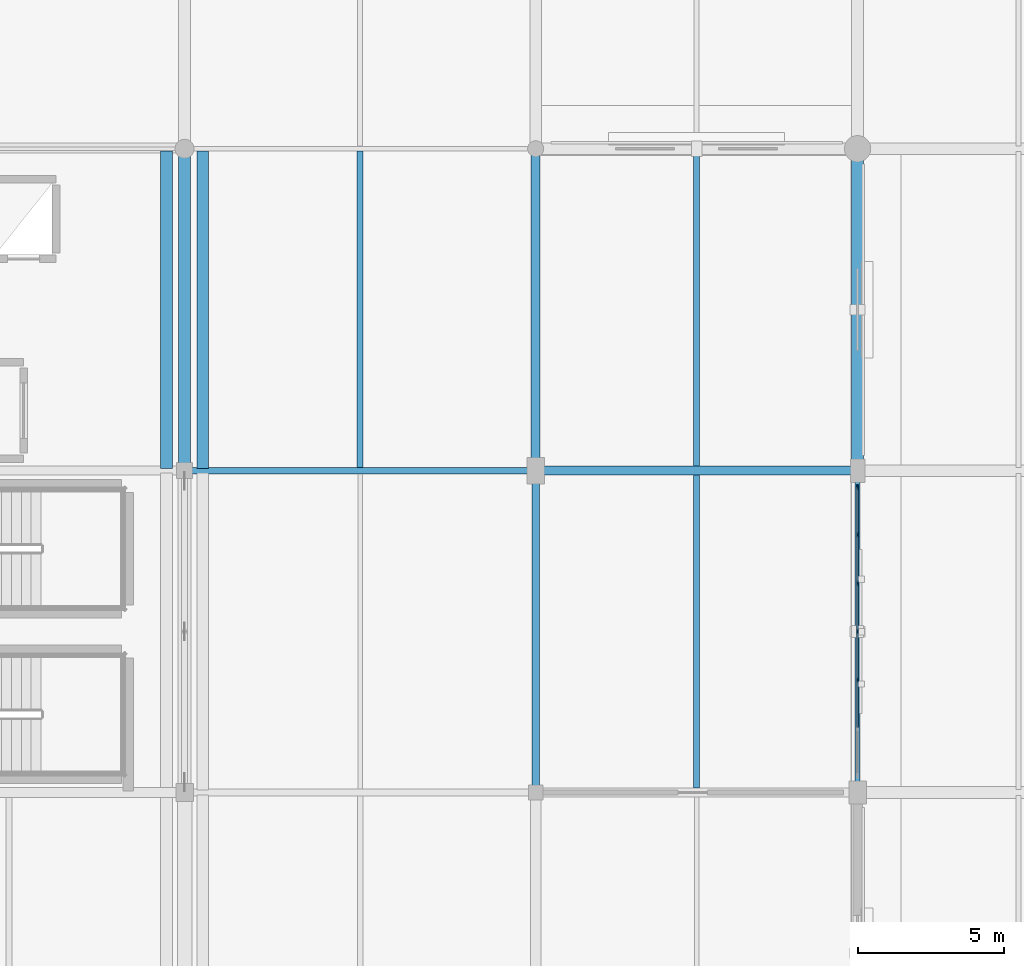
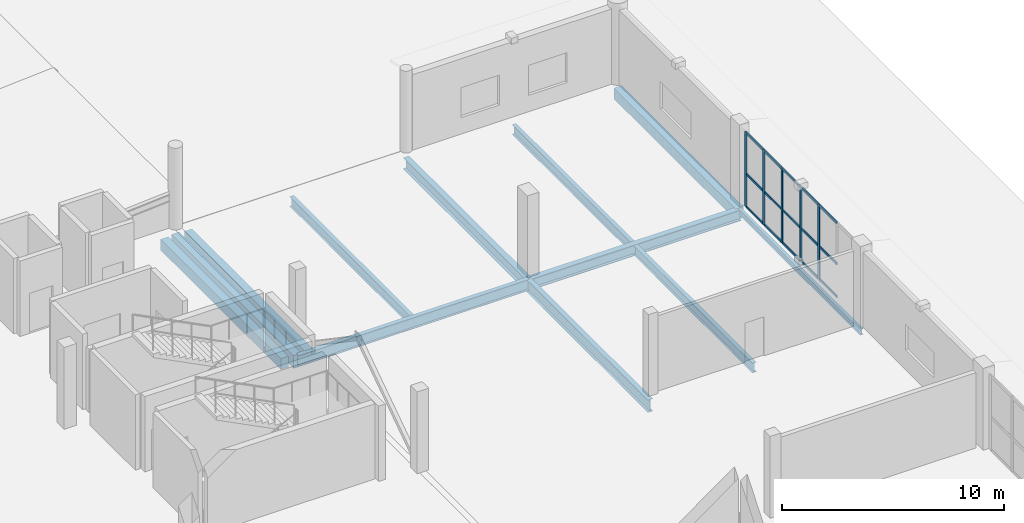
# One storey, part 62 of 118: 20 members, 12 beams, 1 element without a shape of its own.
"""IFC4 building model written with IfcOpenShell, lengths in metres."""

from ifc_helpers import new_model, si_unit, direction, frame, origin, origin_2d, place, context, subcontext, project, spatial, rectangle, i_section, extrude, material, material_profile, profile_set, type_object, element, aggregate, save


model = new_model("IFC4")

# Units and contexts
model_context = context("Model", 3, precision=1e-05, world=origin(), true_north=direction((0.0, 1.0)))
body_context = subcontext(model_context, "Body", "Model", "MODEL_VIEW")
ifc_project = project(units=[si_unit("LENGTHUNIT", "METRE"), si_unit("AREAUNIT", "SQUARE_METRE"), si_unit("VOLUMEUNIT", "CUBIC_METRE"), si_unit("PLANEANGLEUNIT", "RADIAN"), si_unit("MASSUNIT", "GRAM", prefix="KILO")], contexts=[model_context])

# Site, building, storey
site_placement = place(None, origin())
site = spatial("IfcSite", under=ifc_project, at=site_placement, CompositionType="ELEMENT")
building_placement = place(site_placement, origin())
building = spatial("IfcBuilding", under=site, at=building_placement, Name="Luwafu Chhajja Arena", CompositionType="ELEMENT")
storey_placement = place(building_placement, frame((0.0, 0.0, 10.199951171875)))
storey = spatial("IfcBuildingStorey", under=building, at=storey_placement, Name="L02", CompositionType="ELEMENT", Elevation=10.199951171875)

# Curtain wall, members
ifc_material_1 = material(Name="Anodised bronze aluminium", Category="aluminium")
curtain_wall_type = type_object("IfcCurtainWallType", Name="Charbagh Cloister Curtain Wall", PredefinedType="USERDEFINED", material=ifc_material_1)
curtain_wall_placement = place(storey_placement, origin())
curtain_wall = element("IfcCurtainWall", 1, at=curtain_wall_placement, inside=storey, type_object=curtain_wall_type, Name="L02 Curtain Wall CWG-L02-V16_07", ObjectType="CURTAIN WALL", PredefinedType="USERDEFINED")
ifc_material_profile_1 = material_profile(ifc_material_1, rectangle(XDim=0.06005859375, YDim=0.159912109375, at=origin_2d()), Name="CWM 60x160")
ifc_profile_set_1 = profile_set([ifc_material_profile_1], Name="Anodised bronze aluminium")
member_type_1 = type_object("IfcMemberType", Name="Bronze Curtain Wall Mullion 60x160", PredefinedType="MULLION", material=ifc_profile_set_1)
member_1_placement = place(storey_placement, frame((187.0, 80.8466796875, 0.030029296875), z_axis=(0.0, 0.0, 1.0), x_axis=(-1.0, 0.0, 0.0)))
member_1 = element("IfcMember", 2, at=member_1_placement, type_object=member_type_1, Name="CW-06 mullion 3", PredefinedType="MULLION", context=body_context, shape_type="SweptSolid", body=[
    extrude(rectangle(XDim=0.06005859375, YDim=0.159912109375, at=origin_2d()), origin(), (0.0, 0.0, 1.0), 4.114990234375),
])
member_2_placement = place(storey_placement, frame((187.0, 82.5, 0.030029296875), z_axis=(0.0, 0.0, 1.0), x_axis=(-1.0, 0.0, 0.0)))
member_2 = element("IfcMember", 3, at=member_2_placement, type_object=member_type_1, Name="CW-06 mullion 4", PredefinedType="MULLION", context=body_context, shape_type="SweptSolid", body=[
    extrude(rectangle(XDim=0.06005859375, YDim=0.159912109375, at=origin_2d()), origin(), (0.0, 0.0, 1.0), 4.114990234375),
])
member_3_placement = place(storey_placement, frame((187.0, 84.1533203125, 0.030029296875), z_axis=(0.0, 0.0, 1.0), x_axis=(-1.0, 0.0, 0.0)))
member_3 = element("IfcMember", 4, at=member_3_placement, type_object=member_type_1, Name="CW-06 mullion 5", PredefinedType="MULLION", context=body_context, shape_type="SweptSolid", body=[
    extrude(rectangle(XDim=0.06005859375, YDim=0.159912109375, at=origin_2d()), origin(), (0.0, 0.0, 1.0), 4.114990234375),
])
member_4_placement = place(storey_placement, frame((187.0, 85.806640625, 0.030029296875), z_axis=(0.0, 0.0, 1.0), x_axis=(-1.0, 0.0, 0.0)))
member_4 = element("IfcMember", 5, at=member_4_placement, type_object=member_type_1, Name="CW-06 mullion 6", PredefinedType="MULLION", context=body_context, shape_type="SweptSolid", body=[
    extrude(rectangle(XDim=0.06005859375, YDim=0.159912109375, at=origin_2d()), origin(), (0.0, 0.0, 1.0), 4.114990234375),
])
member_5_placement = place(storey_placement, frame((187.0, 87.429931640625, 0.030029296875), z_axis=(0.0, 0.0, 1.0), x_axis=(-1.0, 0.0, 0.0)))
member_5 = element("IfcMember", 6, at=member_5_placement, type_object=member_type_1, Name="CW-06 mullion 7", PredefinedType="MULLION", context=body_context, shape_type="SweptSolid", body=[
    extrude(rectangle(XDim=0.06005859375, YDim=0.159912109375, at=origin_2d()), origin(), (0.0, 0.0, 1.0), 4.114990234375),
])
ifc_material_profile_2 = material_profile(ifc_material_1, rectangle(XDim=0.06005859375, YDim=0.1298828125, at=origin_2d()), Name="CWT 60x130")
ifc_profile_set_2 = profile_set([ifc_material_profile_2], Name="Anodised bronze aluminium")
member_type_2 = type_object("IfcMemberType", Name="Bronze Curtain Wall Transom 60x130", PredefinedType="USERDEFINED", material=ifc_profile_set_2)
member_6_placement = place(storey_placement, frame((187.0, 79.223388671875, 0.06005859375), z_axis=(0.0, 1.0, 0.0), x_axis=(-1.0, 0.0, 0.0)))
member_6 = element("IfcMember", 7, at=member_6_placement, type_object=member_type_2, Name="CW-06 transom 2.1", ObjectType="TRANSOM", PredefinedType="USERDEFINED", context=body_context, shape_type="SweptSolid", body=[
    extrude(rectangle(XDim=0.06005859375, YDim=0.1298828125, at=origin_2d()), origin(), (0.0, 0.0, 1.0), 1.59326171875),
])
member_7_placement = place(storey_placement, frame((187.0, 79.223388671875, 1.865234375), z_axis=(0.0, 1.0, 0.0), x_axis=(-1.0, 0.0, 0.0)))
member_7 = element("IfcMember", 8, at=member_7_placement, type_object=member_type_2, Name="CW-06 transom 2.2", ObjectType="TRANSOM", PredefinedType="USERDEFINED", context=body_context, shape_type="SweptSolid", body=[
    extrude(rectangle(XDim=0.06005859375, YDim=0.1298828125, at=origin_2d()), origin(), (0.0, 0.0, 1.0), 1.59326171875),
])
member_8_placement = place(storey_placement, frame((187.0, 79.223388671875, 4.114990234375), z_axis=(0.0, 1.0, 0.0), x_axis=(-1.0, 0.0, 0.0)))
member_8 = element("IfcMember", 9, at=member_8_placement, type_object=member_type_2, Name="CW-06 transom 2.3", ObjectType="TRANSOM", PredefinedType="USERDEFINED", context=body_context, shape_type="SweptSolid", body=[
    extrude(rectangle(XDim=0.06005859375, YDim=0.1298828125, at=origin_2d()), origin(), (0.0, 0.0, 1.0), 1.59326171875),
])
member_9_placement = place(storey_placement, frame((187.0, 80.876708984375, 0.06005859375), z_axis=(0.0, 1.0, 0.0), x_axis=(-1.0, 0.0, 0.0)))
member_9 = element("IfcMember", 10, at=member_9_placement, type_object=member_type_2, Name="CW-06 transom 3.1", ObjectType="TRANSOM", PredefinedType="USERDEFINED", context=body_context, shape_type="SweptSolid", body=[
    extrude(rectangle(XDim=0.06005859375, YDim=0.1298828125, at=origin_2d()), origin(), (0.0, 0.0, 1.0), 1.59326171875),
])
member_10_placement = place(storey_placement, frame((187.0, 80.876708984375, 1.865234375), z_axis=(0.0, 1.0, 0.0), x_axis=(-1.0, 0.0, 0.0)))
member_10 = element("IfcMember", 11, at=member_10_placement, type_object=member_type_2, Name="CW-06 transom 3.2", ObjectType="TRANSOM", PredefinedType="USERDEFINED", context=body_context, shape_type="SweptSolid", body=[
    extrude(rectangle(XDim=0.06005859375, YDim=0.1298828125, at=origin_2d()), origin(), (0.0, 0.0, 1.0), 1.59326171875),
])
member_11_placement = place(storey_placement, frame((187.0, 80.876708984375, 4.114990234375), z_axis=(0.0, 1.0, 0.0), x_axis=(-1.0, 0.0, 0.0)))
member_11 = element("IfcMember", 12, at=member_11_placement, type_object=member_type_2, Name="CW-06 transom 3.3", ObjectType="TRANSOM", PredefinedType="USERDEFINED", context=body_context, shape_type="SweptSolid", body=[
    extrude(rectangle(XDim=0.06005859375, YDim=0.1298828125, at=origin_2d()), origin(), (0.0, 0.0, 1.0), 1.59326171875),
])
member_12_placement = place(storey_placement, frame((187.0, 82.530029296875, 0.06005859375), z_axis=(0.0, 1.0, 0.0), x_axis=(-1.0, 0.0, 0.0)))
member_12 = element("IfcMember", 13, at=member_12_placement, type_object=member_type_2, Name="CW-06 transom 4.1", ObjectType="TRANSOM", PredefinedType="USERDEFINED", context=body_context, shape_type="SweptSolid", body=[
    extrude(rectangle(XDim=0.06005859375, YDim=0.1298828125, at=origin_2d()), origin(), (0.0, 0.0, 1.0), 1.59326171875),
])
member_13_placement = place(storey_placement, frame((187.0, 82.530029296875, 1.865234375), z_axis=(0.0, 1.0, 0.0), x_axis=(-1.0, 0.0, 0.0)))
member_13 = element("IfcMember", 14, at=member_13_placement, type_object=member_type_2, Name="CW-06 transom 4.2", ObjectType="TRANSOM", PredefinedType="USERDEFINED", context=body_context, shape_type="SweptSolid", body=[
    extrude(rectangle(XDim=0.06005859375, YDim=0.1298828125, at=origin_2d()), origin(), (0.0, 0.0, 1.0), 1.59326171875),
])
member_14_placement = place(storey_placement, frame((187.0, 82.530029296875, 4.114990234375), z_axis=(0.0, 1.0, 0.0), x_axis=(-1.0, 0.0, 0.0)))
member_14 = element("IfcMember", 15, at=member_14_placement, type_object=member_type_2, Name="CW-06 transom 4.3", ObjectType="TRANSOM", PredefinedType="USERDEFINED", context=body_context, shape_type="SweptSolid", body=[
    extrude(rectangle(XDim=0.06005859375, YDim=0.1298828125, at=origin_2d()), origin(), (0.0, 0.0, 1.0), 1.59326171875),
])
member_15_placement = place(storey_placement, frame((187.0, 84.183349609375, 0.06005859375), z_axis=(0.0, 1.0, 0.0), x_axis=(-1.0, 0.0, 0.0)))
member_15 = element("IfcMember", 16, at=member_15_placement, type_object=member_type_2, Name="CW-06 transom 5.1", ObjectType="TRANSOM", PredefinedType="USERDEFINED", context=body_context, shape_type="SweptSolid", body=[
    extrude(rectangle(XDim=0.06005859375, YDim=0.1298828125, at=origin_2d()), origin(), (0.0, 0.0, 1.0), 1.59326171875),
])
member_16_placement = place(storey_placement, frame((187.0, 84.183349609375, 1.865234375), z_axis=(0.0, 1.0, 0.0), x_axis=(-1.0, 0.0, 0.0)))
member_16 = element("IfcMember", 17, at=member_16_placement, type_object=member_type_2, Name="CW-06 transom 5.2", ObjectType="TRANSOM", PredefinedType="USERDEFINED", context=body_context, shape_type="SweptSolid", body=[
    extrude(rectangle(XDim=0.06005859375, YDim=0.1298828125, at=origin_2d()), origin(), (0.0, 0.0, 1.0), 1.59326171875),
])
member_17_placement = place(storey_placement, frame((187.0, 84.183349609375, 4.114990234375), z_axis=(0.0, 1.0, 0.0), x_axis=(-1.0, 0.0, 0.0)))
member_17 = element("IfcMember", 18, at=member_17_placement, type_object=member_type_2, Name="CW-06 transom 5.3", ObjectType="TRANSOM", PredefinedType="USERDEFINED", context=body_context, shape_type="SweptSolid", body=[
    extrude(rectangle(XDim=0.06005859375, YDim=0.1298828125, at=origin_2d()), origin(), (0.0, 0.0, 1.0), 1.59326171875),
])
member_18_placement = place(storey_placement, frame((187.0, 85.836669921875, 0.06005859375), z_axis=(0.0, 1.0, 0.0), x_axis=(-1.0, 0.0, 0.0)))
member_18 = element("IfcMember", 19, at=member_18_placement, type_object=member_type_2, Name="CW-06 transom 6.1", ObjectType="TRANSOM", PredefinedType="USERDEFINED", context=body_context, shape_type="SweptSolid", body=[
    extrude(rectangle(XDim=0.06005859375, YDim=0.1298828125, at=origin_2d()), origin(), (0.0, 0.0, 1.0), 1.563232421875),
])
member_19_placement = place(storey_placement, frame((187.0, 85.836669921875, 1.865234375), z_axis=(0.0, 1.0, 0.0), x_axis=(-1.0, 0.0, 0.0)))
member_19 = element("IfcMember", 20, at=member_19_placement, type_object=member_type_2, Name="CW-06 transom 6.2", ObjectType="TRANSOM", PredefinedType="USERDEFINED", context=body_context, shape_type="SweptSolid", body=[
    extrude(rectangle(XDim=0.06005859375, YDim=0.1298828125, at=origin_2d()), origin(), (0.0, 0.0, 1.0), 1.563232421875),
])
member_20_placement = place(storey_placement, frame((187.0, 85.836669921875, 4.114990234375), z_axis=(0.0, 1.0, 0.0), x_axis=(-1.0, 0.0, 0.0)))
member_20 = element("IfcMember", 21, at=member_20_placement, type_object=member_type_2, Name="CW-06 transom 6.3", ObjectType="TRANSOM", PredefinedType="USERDEFINED", context=body_context, shape_type="SweptSolid", body=[
    extrude(rectangle(XDim=0.06005859375, YDim=0.1298828125, at=origin_2d()), origin(), (0.0, 0.0, 1.0), 1.563232421875),
])
aggregate(curtain_wall, [member_1, member_2, member_3, member_4, member_5, member_6, member_7, member_8, member_9, member_10, member_11, member_12, member_13, member_14, member_15, member_16, member_17, member_18, member_19, member_20])

# Beams
ifc_material_2 = material(Name="Steel S355", Category="steel")
ifc_material_profile_3 = material_profile(ifc_material_2, i_section(OverallWidth=0.165771484375, OverallDepth=0.306640625, WebThickness=0.006591796875, FlangeThickness=0.01171875, at=origin_2d()), Name="UB 305x165x46")
ifc_profile_set_3 = profile_set([ifc_material_profile_3], Name="Steel S355")
beam_type_1 = type_object("IfcBeamType", Name="Concourse Edge Spandrel Beam UB 305x165x46", PredefinedType="SPANDREL", material=ifc_profile_set_3)
beam_1_placement = place(storey_placement, frame((187.0, 77.0, -0.543212890625), z_axis=(0.0, 1.0, 0.0), x_axis=(-1.0, 0.0, 0.0)))
element("IfcBeam", 22, at=beam_1_placement, inside=storey, type_object=beam_type_1, Name="L02 Grid Beam 17/H-J", PredefinedType="SPANDREL", context=body_context, shape_type="SweptSolid", body=[
    extrude(i_section(OverallWidth=0.165771484375, OverallDepth=0.306640625, WebThickness=0.006591796875, FlangeThickness=0.01171875, at=origin_2d()), origin(), (0.0, 0.0, 1.0), 11.0),
])
ifc_material_profile_4 = material_profile(ifc_material_2, i_section(OverallWidth=0.2099609375, OverallDepth=0.53662109375, WebThickness=0.0107421875, FlangeThickness=0.017333984375, at=origin_2d()), Name="UB 533x210x101")
ifc_profile_set_4 = profile_set([ifc_material_profile_4], Name="Steel S355")
beam_type_2 = type_object("IfcBeamType", Name="Floor Joist UB 533x210x101", PredefinedType="JOIST", material=ifc_profile_set_4)
beam_2_placement = place(storey_placement, frame((170.0, 88.114501953125, -0.658203125), z_axis=(0.0, 1.0, 0.0), x_axis=(-1.0, 0.0, 0.0)))
element("IfcBeam", 23, at=beam_2_placement, inside=storey, type_object=beam_type_2, Name="L02 Secondary Joist 15-16/J", PredefinedType="JOIST", context=body_context, shape_type="SweptSolid", body=[
    extrude(i_section(OverallWidth=0.2099609375, OverallDepth=0.53662109375, WebThickness=0.0107421875, FlangeThickness=0.017333984375, at=origin_2d()), origin(), (0.0, 0.0, 1.0), 10.802734375),
])
beam_3_placement = place(storey_placement, frame((181.5, 77.153564453125, -0.658203125), z_axis=(0.0, 1.0, 0.0), x_axis=(-1.0, 0.0, 0.0)))
element("IfcBeam", 24, at=beam_3_placement, inside=storey, type_object=beam_type_2, Name="L02 Secondary Joist 16-17/H", PredefinedType="JOIST", context=body_context, shape_type="SweptSolid", body=[
    extrude(i_section(OverallWidth=0.2099609375, OverallDepth=0.53662109375, WebThickness=0.0107421875, FlangeThickness=0.017333984375, at=origin_2d()), origin(), (0.0, 0.0, 1.0), 10.696533203125),
])
ifc_material_profile_5 = material_profile(ifc_material_2, i_section(OverallWidth=0.209228515625, OverallDepth=0.533203125, WebThickness=0.010009765625, FlangeThickness=0.015625, at=origin_2d()), Name="UB 533x210x92")
ifc_profile_set_5 = profile_set([ifc_material_profile_5], Name="Steel S355")
beam_type_3 = type_object("IfcBeamType", Name="Floor Joist UB 533x210x92", PredefinedType="JOIST", material=ifc_profile_set_5)
beam_4_placement = place(storey_placement, frame((181.5, 88.14990234375, -0.656494140625), z_axis=(0.0, 1.0, 0.0), x_axis=(-1.0, 0.0, 0.0)))
element("IfcBeam", 25, at=beam_4_placement, inside=storey, type_object=beam_type_3, Name="L02 Secondary Joist 16-17/J", PredefinedType="JOIST", context=body_context, shape_type="SweptSolid", body=[
    extrude(i_section(OverallWidth=0.209228515625, OverallDepth=0.533203125, WebThickness=0.010009765625, FlangeThickness=0.015625, at=origin_2d()), origin(), (0.0, 0.0, 1.0), 10.650146484375),
])
ifc_material_3 = material(Name="Concrete C35/45", Category="concrete")
ifc_material_profile_6 = material_profile(ifc_material_3, rectangle(XDim=0.39990234375, YDim=0.60009765625, at=origin_2d()), Name="RC 400x600")
ifc_profile_set_6 = profile_set([ifc_material_profile_6], Name="Concrete C35/45")
beam_type_4 = type_object("IfcBeamType", Name="Podium Perimeter Spandrel RC 400x600", PredefinedType="SPANDREL", material=ifc_profile_set_6)
beam_5_placement = place(storey_placement, frame((187.0, 88.0, -0.68994140625), z_axis=(0.0, 1.0, 0.0), x_axis=(-1.0, 0.0, 0.0)))
element("IfcBeam", 26, at=beam_5_placement, inside=storey, type_object=beam_type_4, Name="L02 Grid Beam 17/J-K", PredefinedType="SPANDREL", context=body_context, shape_type="SweptSolid", body=[
    extrude(rectangle(XDim=0.39990234375, YDim=0.60009765625, at=origin_2d()), origin(), (0.0, 0.0, 1.0), 11.0),
])
for number, where, z_axis, x_axis, name in (
    (27, (163.3798828125, 88.080078125, -0.68994140625), (0.0, 1.0, 0.0), (-1.0, 0.0, 0.0), "L02 Movement Joint MJ2W Seat Girder 08"),
    (28, (164.6201171875, 88.080078125, -0.68994140625), (0.0, 1.0, 0.0), (-1.0, 0.0, 0.0), "L02 Movement Joint MJ2E Seat Girder 08"),
):
    element("IfcBeam", number, at=place(storey_placement, frame(where, z_axis=z_axis, x_axis=x_axis)), inside=storey, type_object=beam_type_4, Name=name, PredefinedType="SPANDREL", context=body_context, shape_type="SweptSolid", body=[
        extrude(rectangle(XDim=0.39990234375, YDim=0.60009765625, at=origin_2d()), origin(), (0.0, 0.0, 1.0), 10.83984375),
    ])
ifc_material_profile_7 = material_profile(ifc_material_2, i_section(OverallWidth=0.253662109375, OverallDepth=0.68359375, WebThickness=0.012451171875, FlangeThickness=0.01904296875, at=origin_2d()), Name="UB 686x254x140")
ifc_profile_set_7 = profile_set([ifc_material_profile_7], Name="Steel S355")
beam_type_5 = type_object("IfcBeamType", Name="Steel Concourse Girder UB 686x254x140", PredefinedType="BEAM", material=ifc_profile_set_7)
beam_6_placement = place(storey_placement, frame((176.0, 77.0, -0.731689453125), z_axis=(0.0, 1.0, 0.0), x_axis=(-1.0, 0.0, 0.0)))
element("IfcBeam", 29, at=beam_6_placement, inside=storey, type_object=beam_type_5, Name="L02 Grid Beam 16/H-J", PredefinedType="BEAM", context=body_context, shape_type="SweptSolid", body=[
    extrude(i_section(OverallWidth=0.253662109375, OverallDepth=0.68359375, WebThickness=0.012451171875, FlangeThickness=0.01904296875, at=origin_2d()), origin(), (0.0, 0.0, 1.0), 11.0),
])
ifc_material_profile_8 = material_profile(ifc_material_2, i_section(OverallWidth=0.300048828125, OverallDepth=0.60009765625, WebThickness=0.015380859375, FlangeThickness=0.030029296875, at=origin_2d()), Name="HEB 600")
ifc_profile_set_8 = profile_set([ifc_material_profile_8], Name="Steel S355")
beam_type_6 = type_object("IfcBeamType", Name="Steel Gallery Girder HEB 600", PredefinedType="BEAM", material=ifc_profile_set_8)
beam_7_placement = place(storey_placement, frame((176.0, 88.0, -0.68994140625), z_axis=(1.0, 0.0, 0.0), x_axis=(0.0, 1.0, 0.0)))
element("IfcBeam", 30, at=beam_7_placement, inside=storey, type_object=beam_type_6, Name="L02 Grid Beam 16-17/J", PredefinedType="BEAM", context=body_context, shape_type="SweptSolid", body=[
    extrude(i_section(OverallWidth=0.300048828125, OverallDepth=0.60009765625, WebThickness=0.015380859375, FlangeThickness=0.030029296875, at=origin_2d()), origin(), (0.0, 0.0, 1.0), 11.0),
])
ifc_material_profile_9 = material_profile(ifc_material_2, i_section(OverallWidth=0.30712890625, OverallDepth=0.6201171875, WebThickness=0.01416015625, FlangeThickness=0.023681640625, at=origin_2d()), Name="UB 610x305x179")
ifc_profile_set_9 = profile_set([ifc_material_profile_9], Name="Steel S355")
beam_type_7 = type_object("IfcBeamType", Name="Steel Hospitality Girder UB 610x305x179", PredefinedType="BEAM", material=ifc_profile_set_9)
beam_8_placement = place(storey_placement, frame((176.0, 88.0, -0.699951171875), z_axis=(0.0, 1.0, 0.0), x_axis=(-1.0, 0.0, 0.0)))
element("IfcBeam", 31, at=beam_8_placement, inside=storey, type_object=beam_type_7, Name="L02 Grid Beam 16/J-K", PredefinedType="BEAM", context=body_context, shape_type="SweptSolid", body=[
    extrude(i_section(OverallWidth=0.30712890625, OverallDepth=0.6201171875, WebThickness=0.01416015625, FlangeThickness=0.023681640625, at=origin_2d()), origin(), (0.0, 0.0, 1.0), 11.0),
])
ifc_material_profile_10 = material_profile(ifc_material_2, i_section(OverallWidth=0.22900390625, OverallDepth=0.6123046875, WebThickness=0.011962890625, FlangeThickness=0.01953125, at=origin_2d()), Name="UB 610x229x125")
ifc_profile_set_10 = profile_set([ifc_material_profile_10], Name="Steel S355")
beam_type_8 = type_object("IfcBeamType", Name="Steel Mezzanine Girder UB 610x229x125", PredefinedType="BEAM", material=ifc_profile_set_10)
beam_9_placement = place(storey_placement, frame((164.0, 88.0, -0.696044921875), z_axis=(1.0, 0.0, 0.0), x_axis=(0.0, 1.0, 0.0)))
element("IfcBeam", 32, at=beam_9_placement, inside=storey, type_object=beam_type_8, Name="L02 Grid Beam 15-16/J", PredefinedType="BEAM", context=body_context, shape_type="SweptSolid", body=[
    extrude(i_section(OverallWidth=0.22900390625, OverallDepth=0.6123046875, WebThickness=0.011962890625, FlangeThickness=0.01953125, at=origin_2d()), origin(), (0.0, 0.0, 1.0), 12.0),
])
ifc_material_profile_11 = material_profile(ifc_material_3, rectangle(XDim=0.39990234375, YDim=0.699951171875, at=origin_2d()), Name="RC 400x700")
ifc_profile_set_11 = profile_set([ifc_material_profile_11], Name="Concrete C35/45")
beam_type_9 = type_object("IfcBeamType", Name="Wing Frame Beam RC 400x700", PredefinedType="BEAM", material=ifc_profile_set_11)
beam_10_placement = place(storey_placement, frame((164.0, 88.0, -0.739990234375), z_axis=(0.0, 1.0, 0.0), x_axis=(-1.0, 0.0, 0.0)))
element("IfcBeam", 33, at=beam_10_placement, inside=storey, type_object=beam_type_9, Name="L02 Grid Beam 15/J-K", PredefinedType="BEAM", context=body_context, shape_type="SweptSolid", body=[
    extrude(rectangle(XDim=0.39990234375, YDim=0.699951171875, at=origin_2d()), origin(), (0.0, 0.0, 1.0), 11.0),
])

save(model, "model.ifc")
